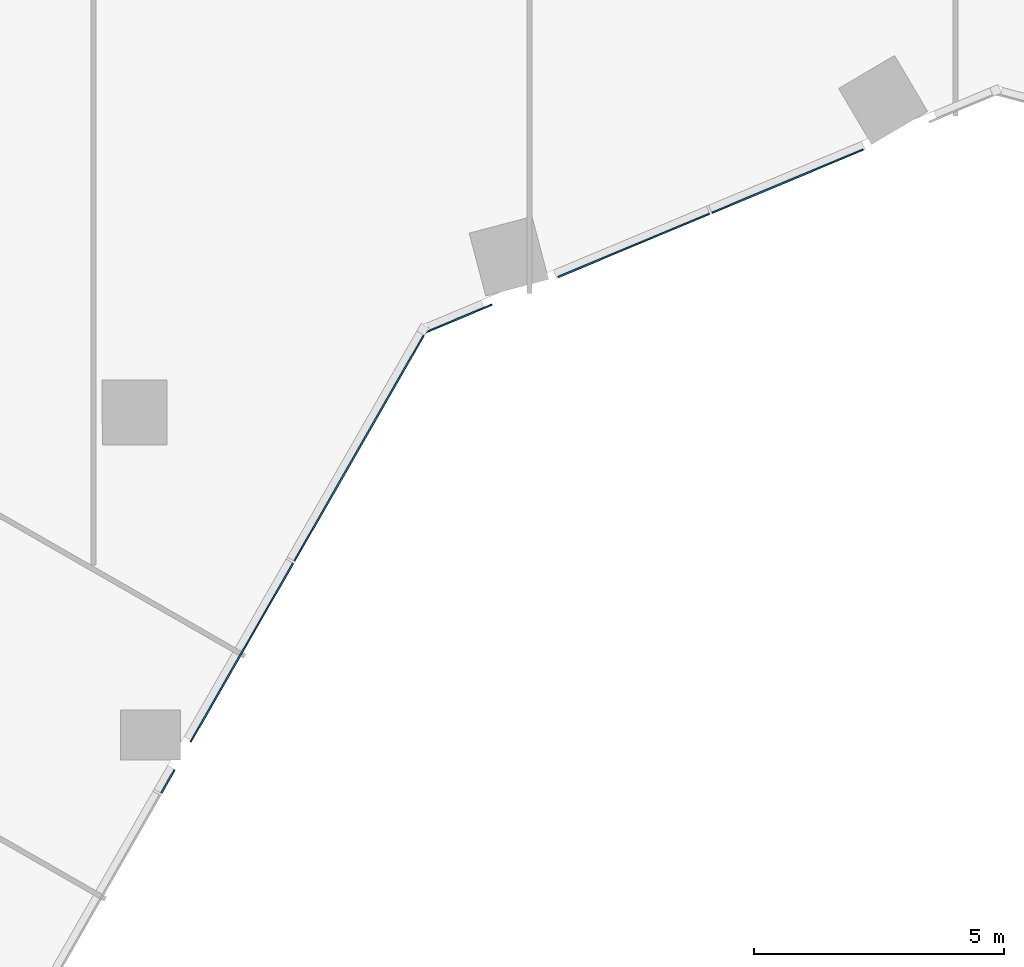
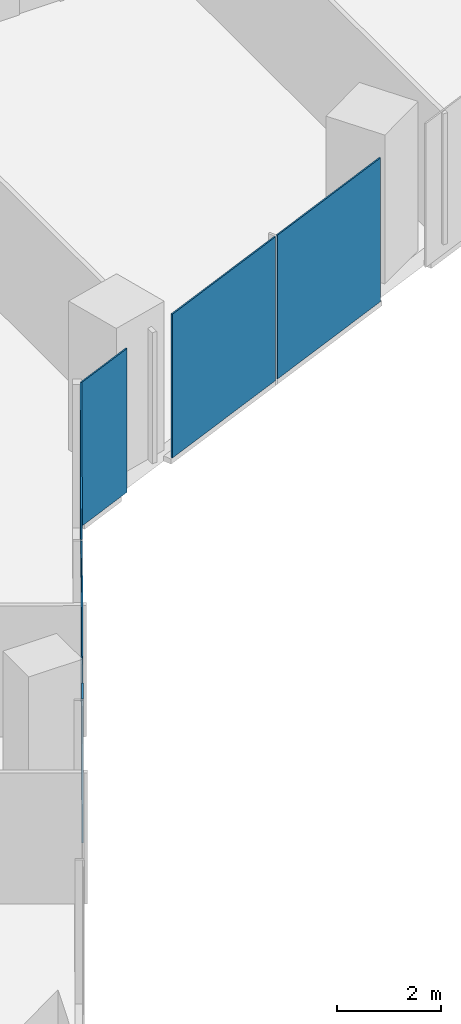
# One storey, part 19 of 34: 6 plates, 2 elements without a shape of their own.
"""IFC4 building model written with IfcOpenShell, lengths in metres."""

from ifc_helpers import new_model, si_unit, direction, frame, origin, origin_2d, place, context, subcontext, project, spatial, rectangle, extrude, material, layer, layer_set, type_object, element, aggregate, save


model = new_model("IFC4")

# Units and contexts
model_context = context("Model", 3, precision=1e-05, world=origin(), true_north=direction((0.0, 1.0)))
body_context = subcontext(model_context, "Body", "Model", "MODEL_VIEW")
ifc_project = project(units=[si_unit("LENGTHUNIT", "METRE"), si_unit("AREAUNIT", "SQUARE_METRE"), si_unit("VOLUMEUNIT", "CUBIC_METRE"), si_unit("PLANEANGLEUNIT", "RADIAN"), si_unit("MASSUNIT", "GRAM", prefix="KILO")], contexts=[model_context])

# Site, building, storey
site_placement = place(None, origin())
site = spatial("IfcSite", under=ifc_project, at=site_placement, CompositionType="ELEMENT")
building_placement = place(site_placement, origin())
building = spatial("IfcBuilding", under=site, at=building_placement, Name="Orlundy Tower", CompositionType="ELEMENT")
storey_placement = place(building_placement, frame((0.0, 0.0, 105.699951171875)))
storey = spatial("IfcBuildingStorey", under=building, at=storey_placement, Name="L26", CompositionType="ELEMENT", Elevation=105.699951171875)

# Curtain wall, plates
ifc_material_1 = material(Name="Aluminium bronze anodised", Category="aluminium")
curtain_wall_type = type_object("IfcCurtainWallType", Name="CW1 wall", PredefinedType="NOTDEFINED", material=ifc_material_1)
curtain_wall_1_placement = place(storey_placement, origin())
curtain_wall_1 = element("IfcCurtainWall", 1, at=curtain_wall_1_placement, inside=storey, type_object=curtain_wall_type, Name="CW1 run 01", PredefinedType="NOTDEFINED")
ifc_material_2 = material(Name="Tinted glass", Category="glass")
ifc_layer = layer(ifc_material_2, 0.031982421875)
ifc_layer_set = layer_set([ifc_layer], Name="CW1 glass panel 32")
plate_type = type_object("IfcPlateType", Name="CW1 glass panel 32", PredefinedType="CURTAIN_PANEL", material=ifc_layer_set)
plate_1_placement = place(storey_placement, frame((13.16162109375, -27.1923828125, -0.27978515625), z_axis=(0.0, 0.0, 1.0), x_axis=(-0.922759105019, -0.385377262048, 0.0)))
plate_1 = element("IfcPlate", 2, at=plate_1_placement, type_object=plate_type, Name="CW1 panel", PredefinedType="CURTAIN_PANEL", context=body_context, shape_type="SweptSolid", body=[
    extrude(rectangle(XDim=3.2822265625, YDim=0.031982421875, at=origin_2d()), origin(), (0.0, 0.0, 1.0), 3.3798828125),
])
plate_2_placement = place(storey_placement, frame((10.0869140625, -28.476318359375, -0.27978515625), z_axis=(0.0, 0.0, 1.0), x_axis=(-0.922759105019, -0.385377262048, 0.0)))
plate_2 = element("IfcPlate", 3, at=plate_2_placement, type_object=plate_type, Name="CW1 panel", PredefinedType="CURTAIN_PANEL", context=body_context, shape_type="SweptSolid", body=[
    extrude(rectangle(XDim=3.28173828125, YDim=0.031982421875, at=origin_2d()), origin(), (0.0, 0.0, 1.0), 3.3798828125),
])
plate_3_placement = place(storey_placement, frame((6.581298828125, -29.9404296875, -0.27978515625), z_axis=(0.0, 0.0, 1.0), x_axis=(-0.922759105019, -0.385377262048, 0.0)))
plate_3 = element("IfcPlate", 4, at=plate_3_placement, type_object=plate_type, Name="CW1 panel", PredefinedType="CURTAIN_PANEL", context=body_context, shape_type="SweptSolid", body=[
    extrude(rectangle(XDim=1.445068359375, YDim=0.031982421875, at=origin_2d()), origin(), (0.0, 0.0, 1.0), 3.3798828125),
])
aggregate(curtain_wall_1, [plate_1, plate_2, plate_3])

curtain_wall_2_placement = place(storey_placement, origin())
curtain_wall_2 = element("IfcCurtainWall", 5, at=curtain_wall_2_placement, inside=storey, type_object=curtain_wall_type, Name="CW1 run 02", PredefinedType="NOTDEFINED")
plate_4_placement = place(storey_placement, frame((4.602294921875, -32.50732421875, -0.27978515625), z_axis=(0.0, 0.0, 1.0), x_axis=(-0.497473280125, -0.867479299789, 0.0)))
plate_4 = element("IfcPlate", 6, at=plate_4_placement, type_object=plate_type, Name="CW1 panel", PredefinedType="CURTAIN_PANEL", context=body_context, shape_type="SweptSolid", body=[
    extrude(rectangle(XDim=5.27587890625, YDim=0.031982421875, at=origin_2d()), origin(), (0.0, 0.0, 1.0), 3.3798828125),
])
plate_5_placement = place(storey_placement, frame((2.238525390625, -36.629150390625, -0.27978515625), z_axis=(0.0, 0.0, 1.0), x_axis=(-0.497473280125, -0.867479299789, 0.0)))
plate_5 = element("IfcPlate", 7, at=plate_5_placement, type_object=plate_type, Name="CW1 panel", PredefinedType="CURTAIN_PANEL", context=body_context, shape_type="SweptSolid", body=[
    extrude(rectangle(XDim=4.126953125, YDim=0.031982421875, at=origin_2d()), origin(), (0.0, 0.0, 1.0), 3.3798828125),
])
plate_6_placement = place(storey_placement, frame((0.75830078125, -39.210205078125, -0.27978515625), z_axis=(0.0, 0.0, 1.0), x_axis=(-0.497473280125, -0.867479299789, 0.0)))
plate_6 = element("IfcPlate", 8, at=plate_6_placement, type_object=plate_type, Name="CW1 panel", PredefinedType="CURTAIN_PANEL", context=body_context, shape_type="SweptSolid", body=[
    extrude(rectangle(XDim=0.535400390625, YDim=0.031982421875, at=origin_2d()), origin(), (0.0, 0.0, 1.0), 3.3798828125),
])
aggregate(curtain_wall_2, [plate_4, plate_5, plate_6])

save(model, "model.ifc")
